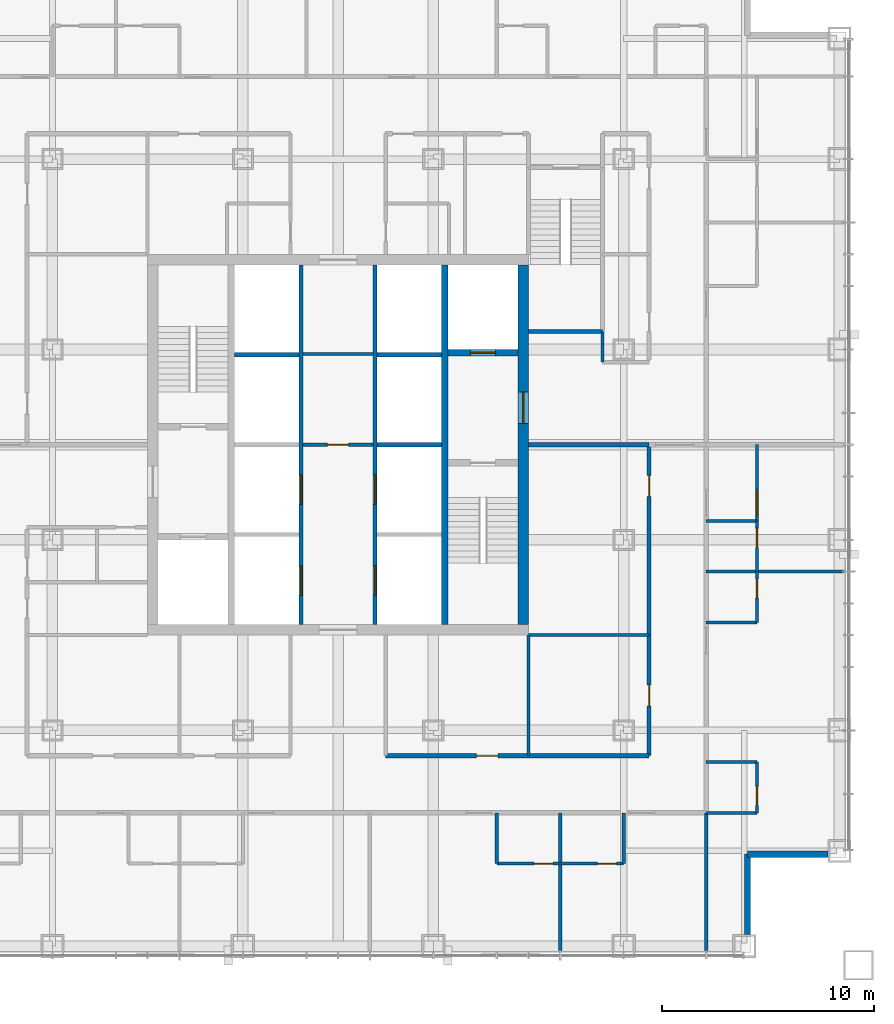
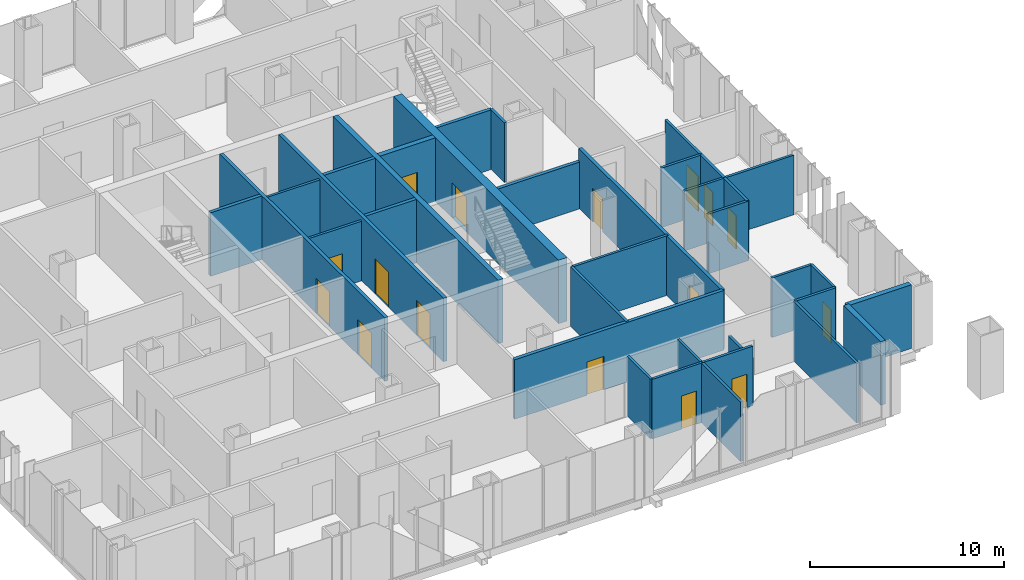
# One storey, part 10 of 18: 34 walls, 16 doors, 16 openings.
"""IFC4 building model written with IfcOpenShell, lengths in metres."""

from ifc_helpers import new_model, si_unit, direction, frame, frame_2d, origin, place, context, subcontext, project, spatial, rectangle, extrude, material, layer, layer_set, type_object, element, fill, save


model = new_model("IFC4")

# Units and contexts
model_context = context("Model", 3, precision=1e-05, world=origin(), true_north=direction((0.0, 1.0)))
body_context = subcontext(model_context, "Body", "Model", "MODEL_VIEW")
ifc_project = project(units=[si_unit("LENGTHUNIT", "METRE"), si_unit("AREAUNIT", "SQUARE_METRE"), si_unit("VOLUMEUNIT", "CUBIC_METRE"), si_unit("PLANEANGLEUNIT", "RADIAN"), si_unit("MASSUNIT", "GRAM", prefix="KILO")], contexts=[model_context])

# Site, building, storey
site_placement = place(None, origin())
site = spatial("IfcSite", under=ifc_project, at=site_placement, CompositionType="ELEMENT")
building_placement = place(site_placement, origin())
building = spatial("IfcBuilding", under=site, at=building_placement, Name="Malebo Sky Hospital", CompositionType="ELEMENT")
storey_placement = place(building_placement, frame((0.0, 0.0, 124.0)))
storey = spatial("IfcBuildingStorey", under=building, at=storey_placement, Name="L29", CompositionType="ELEMENT", Elevation=124.0)

# Wall, openings, doors
ifc_material_1 = material(Name="Concrete C80/95", Category="concrete")
ifc_layer_1 = layer(ifc_material_1, 0.199951171875)
ifc_layer_set_1 = layer_set([ifc_layer_1], Name="CORE INNER WALL 200")
wall_type_1 = type_object("IfcWallType", Name="CORE INNER WALL 200", PredefinedType="SHEAR", material=ifc_layer_set_1)
wall_1_placement = place(storey_placement, frame((58.25, 53.5, 0.0), z_axis=(0.0, 0.0, 1.0), x_axis=(0.0, 1.0, 0.0)))
wall_1 = element("IfcWall", 1, at=wall_1_placement, inside=storey, type_object=wall_type_1, Name="Core wall LW L29", PredefinedType="SHEAR", context=body_context, shape_type="SweptSolid", body=[
    extrude(rectangle(XDim=17.0, YDim=0.199951171875, at=frame_2d((8.5, 0.0))), origin(), (0.0, 0.0, 1.0), 4.0),
])
opening_1_placement = place(wall_1_placement, frame((1.375, 0.0, 0.0)))
opening_1 = element("IfcOpeningElement", 2, at=opening_1_placement, cuts=wall_1, Name="Opening LD1", PredefinedType="OPENING", context=body_context, shape_type="SweptSolid", body=[
    extrude(rectangle(XDim=1.39990234375, YDim=2.199951171875, at=frame_2d((0.699951171875, 1.10009765625))), frame((0.0, 0.10986328125, 0.0), z_axis=(0.0, -1.0, 0.0), x_axis=(1.0, 0.0, 0.0)), (0.0, 0.0, 1.0), 0.219970703125),
])
opening_2_placement = place(wall_1_placement, frame((5.675048828125, 0.0, 0.0)))
opening_2 = element("IfcOpeningElement", 3, at=opening_2_placement, cuts=wall_1, Name="Opening LD1", PredefinedType="OPENING", context=body_context, shape_type="SweptSolid", body=[
    extrude(rectangle(XDim=1.39990234375, YDim=2.199951171875, at=frame_2d((0.699951171875, 1.10009765625))), frame((0.0, 0.10986328125, 0.0), z_axis=(0.0, -1.0, 0.0), x_axis=(1.0, 0.0, 0.0)), (0.0, 0.0, 1.0), 0.219970703125),
])
ifc_material_2 = material(Name="Stainless steel sliding landing door", Category="steel")
door_type_1 = type_object("IfcDoorType", Name="LIFT LANDING DOOR 1400", OperationType="SLIDING_TO_LEFT", PredefinedType="DOOR", material=ifc_material_2)
door_1_placement = place(opening_1_placement, origin())
door_1 = element("IfcDoor", 4, at=door_1_placement, inside=storey, type_object=door_type_1, Name="Lift W1 landing door", OperationType="SLIDING_TO_LEFT", OverallHeight=2.199951171875, OverallWidth=1.39990234375, PredefinedType="DOOR", context=body_context, shape_type="SweptSolid", body=[
    extrude(rectangle(XDim=1.39990234375, YDim=2.199951171875, at=frame_2d((0.699951171875, 1.10009765625))), frame((0.0, 0.02490234375, 0.0), z_axis=(0.0, -1.0, 0.0), x_axis=(1.0, 0.0, 0.0)), (0.0, 0.0, 1.0), 0.050048828125),
])
fill(opening_1, door_1)
door_2_placement = place(opening_2_placement, origin())
door_2 = element("IfcDoor", 5, at=door_2_placement, inside=storey, type_object=door_type_1, Name="Lift W2 landing door", OperationType="SLIDING_TO_LEFT", OverallHeight=2.199951171875, OverallWidth=1.39990234375, PredefinedType="DOOR", context=body_context, shape_type="SweptSolid", body=[
    extrude(rectangle(XDim=1.39990234375, YDim=2.199951171875, at=frame_2d((0.699951171875, 1.10009765625))), frame((0.0, 0.02490234375, 0.0), z_axis=(0.0, -1.0, 0.0), x_axis=(1.0, 0.0, 0.0)), (0.0, 0.0, 1.0), 0.050048828125),
])
fill(opening_2, door_2)

wall_2_placement = place(storey_placement, frame((61.75, 53.5, 0.0), z_axis=(0.0, 0.0, 1.0), x_axis=(0.0, 1.0, 0.0)))
wall_2 = element("IfcWall", 6, at=wall_2_placement, inside=storey, type_object=wall_type_1, Name="Core wall LE L29", PredefinedType="SHEAR", context=body_context, shape_type="SweptSolid", body=[
    extrude(rectangle(XDim=17.0, YDim=0.199951171875, at=frame_2d((8.5, 0.0))), origin(), (0.0, 0.0, 1.0), 4.0),
])
opening_3_placement = place(wall_2_placement, frame((1.375, 0.0, 0.0)))
opening_3 = element("IfcOpeningElement", 7, at=opening_3_placement, cuts=wall_2, Name="Opening LD1", PredefinedType="OPENING", context=body_context, shape_type="SweptSolid", body=[
    extrude(rectangle(XDim=1.39990234375, YDim=2.199951171875, at=frame_2d((0.699951171875, 1.10009765625))), frame((0.0, 0.10986328125, 0.0), z_axis=(0.0, -1.0, 0.0), x_axis=(1.0, 0.0, 0.0)), (0.0, 0.0, 1.0), 0.219970703125),
])
opening_4_placement = place(wall_2_placement, frame((5.675048828125, 0.0, 0.0)))
opening_4 = element("IfcOpeningElement", 8, at=opening_4_placement, cuts=wall_2, Name="Opening LD1", PredefinedType="OPENING", context=body_context, shape_type="SweptSolid", body=[
    extrude(rectangle(XDim=1.39990234375, YDim=2.199951171875, at=frame_2d((0.699951171875, 1.10009765625))), frame((0.0, 0.10986328125, 0.0), z_axis=(0.0, -1.0, 0.0), x_axis=(1.0, 0.0, 0.0)), (0.0, 0.0, 1.0), 0.219970703125),
])
door_3_placement = place(opening_3_placement, origin())
door_3 = element("IfcDoor", 9, at=door_3_placement, inside=storey, type_object=door_type_1, Name="Lift E1 landing door", OperationType="SLIDING_TO_LEFT", OverallHeight=2.199951171875, OverallWidth=1.39990234375, PredefinedType="DOOR", context=body_context, shape_type="SweptSolid", body=[
    extrude(rectangle(XDim=1.39990234375, YDim=2.199951171875, at=frame_2d((0.699951171875, 1.10009765625))), frame((0.0, 0.02490234375, 0.0), z_axis=(0.0, -1.0, 0.0), x_axis=(1.0, 0.0, 0.0)), (0.0, 0.0, 1.0), 0.050048828125),
])
fill(opening_3, door_3)
door_4_placement = place(opening_4_placement, origin())
door_4 = element("IfcDoor", 10, at=door_4_placement, inside=storey, type_object=door_type_1, Name="Lift E2 landing door", OperationType="SLIDING_TO_LEFT", OverallHeight=2.199951171875, OverallWidth=1.39990234375, PredefinedType="DOOR", context=body_context, shape_type="SweptSolid", body=[
    extrude(rectangle(XDim=1.39990234375, YDim=2.199951171875, at=frame_2d((0.699951171875, 1.10009765625))), frame((0.0, 0.02490234375, 0.0), z_axis=(0.0, -1.0, 0.0), x_axis=(1.0, 0.0, 0.0)), (0.0, 0.0, 1.0), 0.050048828125),
])
fill(opening_4, door_4)

# Walls
for number, where, z_axis, x_axis, name in (
    (11, (61.85009765625, 62.0, 0.0), (0.0, 0.0, 1.0), (1.0, 0.0, 0.0), "Core wall SE1 L29"),
    (12, (55.10009765625, 66.25, 0.0), (0.0, 0.0, 1.0), (1.0, 0.0, 0.0), "Core wall SW2 L29"),
    (13, (61.85009765625, 66.25, 0.0), (0.0, 0.0, 1.0), (1.0, 0.0, 0.0), "Core wall SE2 L29"),
):
    element("IfcWall", number, at=place(storey_placement, frame(where, z_axis=z_axis, x_axis=x_axis)), inside=storey, type_object=wall_type_1, Name=name, PredefinedType="SHEAR", context=body_context, shape_type="SweptSolid", body=[
        extrude(rectangle(XDim=3.0498046875, YDim=0.199951171875, at=frame_2d((1.52490234375, 0.0))), origin(), (0.0, 0.0, 1.0), 4.0),
    ])
ifc_layer_2 = layer(ifc_material_1, 0.300048828125)
ifc_layer_set_2 = layer_set([ifc_layer_2], Name="CORE INNER WALL 300")
wall_type_2 = type_object("IfcWallType", Name="CORE INNER WALL 300", PredefinedType="SHEAR", material=ifc_layer_set_2)
wall_3_placement = place(storey_placement, frame((65.050048828125, 53.5, 0.0), z_axis=(0.0, 0.0, 1.0), x_axis=(0.0, 1.0, 0.0)))
element("IfcWall", 14, at=wall_3_placement, inside=storey, type_object=wall_type_2, Name="Core wall XE L29", PredefinedType="SHEAR", context=body_context, shape_type="SweptSolid", body=[
    extrude(rectangle(XDim=17.0, YDim=0.300048828125, at=frame_2d((8.5, 0.0))), origin(), (0.0, 0.0, 1.0), 4.0),
])

# Wall, opening, door
wall_4_placement = place(storey_placement, frame((65.199951171875, 66.35009765625, 0.0), z_axis=(0.0, 0.0, 1.0), x_axis=(1.0, 0.0, 0.0)))
wall_4 = element("IfcWall", 15, at=wall_4_placement, inside=storey, type_object=wall_type_2, Name="Core wall E2 L29", PredefinedType="SHEAR", context=body_context, shape_type="SweptSolid", body=[
    extrude(rectangle(XDim=3.300048828125, YDim=0.300048828125, at=frame_2d((1.64990234375, 0.0))), origin(), (0.0, 0.0, 1.0), 4.0),
])
opening_5_placement = place(wall_4_placement, frame((1.050048828125, 0.0, 0.0)))
opening_5 = element("IfcOpeningElement", 16, at=opening_5_placement, cuts=wall_4, Name="Opening LD2", PredefinedType="OPENING", context=body_context, shape_type="SweptSolid", body=[
    extrude(rectangle(XDim=1.199951171875, YDim=2.199951171875, at=frame_2d((0.60009765625, 1.10009765625))), frame((0.0, 0.159912109375, 0.0), z_axis=(0.0, -1.0, 0.0), x_axis=(1.0, 0.0, 0.0)), (0.0, 0.0, 1.0), 0.320068359375),
])
door_type_2 = type_object("IfcDoorType", Name="FIRE-FIGHTING LIFT LANDING DOOR 1200", OperationType="SLIDING_TO_LEFT", PredefinedType="DOOR", material=ifc_material_2)
door_5_placement = place(opening_5_placement, origin())
door_5 = element("IfcDoor", 17, at=door_5_placement, inside=storey, type_object=door_type_2, Name="Lift FL2 landing door", OperationType="SLIDING_TO_LEFT", OverallHeight=2.199951171875, OverallWidth=1.199951171875, PredefinedType="DOOR", context=body_context, shape_type="SweptSolid", body=[
    extrude(rectangle(XDim=1.199951171875, YDim=2.199951171875, at=frame_2d((0.60009765625, 1.10009765625))), frame((0.0, 0.02490234375, 0.0), z_axis=(0.0, -1.0, 0.0), x_axis=(1.0, 0.0, 0.0)), (0.0, 0.0, 1.0), 0.050048828125),
])
fill(opening_5, door_5)

ifc_layer_3 = layer(ifc_material_1, 0.5)
ifc_layer_set_3 = layer_set([ifc_layer_3], Name="CORE WALL 500")
wall_type_3 = type_object("IfcWallType", Name="CORE WALL 500", PredefinedType="SHEAR", material=ifc_layer_set_3)
wall_5_placement = place(storey_placement, frame((68.75, 53.5, 0.0), z_axis=(0.0, 0.0, 1.0), x_axis=(0.0, 1.0, 0.0)))
wall_5 = element("IfcWall", 18, at=wall_5_placement, inside=storey, type_object=wall_type_3, Name="Core wall E L29", PredefinedType="SHEAR", context=body_context, shape_type="SweptSolid", body=[
    extrude(rectangle(XDim=17.0, YDim=0.5, at=frame_2d((8.5, 0.0))), origin(), (0.0, 0.0, 1.0), 4.0),
])
opening_6_placement = place(wall_5_placement, frame((9.5, 0.0, 0.0)))
opening_6 = element("IfcOpeningElement", 19, at=opening_6_placement, cuts=wall_5, Name="Opening D07", PredefinedType="OPENING", context=body_context, shape_type="SweptSolid", body=[
    extrude(rectangle(XDim=1.5, YDim=2.199951171875, at=frame_2d((0.75, 1.10009765625))), frame((0.0, 0.260009765625, 0.0), z_axis=(0.0, -1.0, 0.0), x_axis=(1.0, 0.0, 0.0)), (0.0, 0.0, 1.0), 0.52001953125),
])
ifc_material_3 = material(Name="Hardwood-faced door leaf in steel frame", Category="steel")
door_type_3 = type_object("IfcDoorType", Name="FIRE-FIGHTING LOBBY DOOR PAIR 1500", OperationType="DOUBLE_DOOR_SINGLE_SWING", PredefinedType="DOOR", material=ifc_material_3)
door_6_placement = place(opening_6_placement, origin())
door_6 = element("IfcDoor", 20, at=door_6_placement, inside=storey, type_object=door_type_3, Name="Fire-fighting lobby door east", OperationType="DOUBLE_DOOR_SINGLE_SWING", OverallHeight=2.199951171875, OverallWidth=1.5, PredefinedType="DOOR", context=body_context, shape_type="SweptSolid", body=[
    extrude(rectangle(XDim=1.5, YDim=2.199951171875, at=frame_2d((0.75, 1.10009765625))), frame((0.0, 0.02490234375, 0.0), z_axis=(0.0, -1.0, 0.0), x_axis=(1.0, 0.0, 0.0)), (0.0, 0.0, 1.0), 0.050048828125),
])
fill(opening_6, door_6)

ifc_material_4 = material(Name="Gypsum board on steel studs", Category="steel")
ifc_layer_4 = layer(ifc_material_4, 0.199951171875)
ifc_layer_set_4 = layer_set([ifc_layer_4], Name="CORRIDOR WALL 200")
wall_type_4 = type_object("IfcWallType", Name="CORRIDOR WALL 200", PredefinedType="PARTITIONING", material=ifc_layer_set_4)
wall_6_placement = place(storey_placement, frame((74.699951171875, 47.300048828125, 0.0), z_axis=(0.0, 0.0, 1.0), x_axis=(-1.0, 0.0, 0.0)))
wall_6 = element("IfcWall", 21, at=wall_6_placement, inside=storey, type_object=wall_type_4, Name="Corridor Wall 200 SCI1", PredefinedType="PARTITIONING", context=body_context, shape_type="SweptSolid", body=[
    extrude(rectangle(XDim=12.449951171875, YDim=0.199951171875, at=frame_2d((6.22509765625, 0.0))), origin(), (0.0, 0.0, 1.0), 3.75),
])
opening_7_placement = place(wall_6_placement, frame((7.14990234375, 0.0, 0.0)))
opening_7 = element("IfcOpeningElement", 22, at=opening_7_placement, cuts=wall_6, Name="Opening D03", PredefinedType="OPENING", context=body_context, shape_type="SweptSolid", body=[
    extrude(rectangle(XDim=1.0, YDim=2.10009765625, at=frame_2d((0.5, 1.050048828125))), frame((0.0, 0.10986328125, 0.0), z_axis=(0.0, -1.0, 0.0), x_axis=(1.0, 0.0, 0.0)), (0.0, 0.0, 1.0), 0.219970703125),
])
door_type_4 = type_object("IfcDoorType", Name="ROOM DOOR 1000", OperationType="SINGLE_SWING_LEFT", PredefinedType="DOOR", material=ifc_material_3)
door_7_placement = place(opening_7_placement, origin())
door_7 = element("IfcDoor", 23, at=door_7_placement, inside=storey, type_object=door_type_4, Name="Wound care room door", OperationType="SINGLE_SWING_LEFT", OverallHeight=2.10009765625, OverallWidth=1.0, PredefinedType="DOOR", context=body_context, shape_type="SweptSolid", body=[
    extrude(rectangle(XDim=1.0, YDim=2.10009765625, at=frame_2d((0.5, 1.050048828125))), frame((0.0, 0.02490234375, 0.0), z_axis=(0.0, -1.0, 0.0), x_axis=(1.0, 0.0, 0.0)), (0.0, 0.0, 1.0), 0.050048828125),
])
fill(opening_7, door_7)

# Wall, openings, doors
wall_7_placement = place(storey_placement, frame((74.699951171875, 62.0, 0.0), z_axis=(0.0, 0.0, 1.0), x_axis=(0.0, -1.0, 0.0)))
wall_7 = element("IfcWall", 24, at=wall_7_placement, inside=storey, type_object=wall_type_4, Name="Corridor Wall 200 ECI2", PredefinedType="PARTITIONING", context=body_context, shape_type="SweptSolid", body=[
    extrude(rectangle(XDim=14.699951171875, YDim=0.199951171875, at=frame_2d((7.35009765625, 0.0))), origin(), (0.0, 0.0, 1.0), 3.75),
])
opening_8_placement = place(wall_7_placement, frame((1.449951171875, 0.0, 0.0)))
opening_8 = element("IfcOpeningElement", 25, at=opening_8_placement, cuts=wall_7, Name="Opening D03", PredefinedType="OPENING", context=body_context, shape_type="SweptSolid", body=[
    extrude(rectangle(XDim=1.0, YDim=2.10009765625, at=frame_2d((0.5, 1.050048828125))), frame((0.0, 0.10986328125, 0.0), z_axis=(0.0, -1.0, 0.0), x_axis=(1.0, 0.0, 0.0)), (0.0, 0.0, 1.0), 0.219970703125),
])
opening_9_placement = place(wall_7_placement, frame((11.35009765625, 0.0, 0.0)))
opening_9 = element("IfcOpeningElement", 26, at=opening_9_placement, cuts=wall_7, Name="Opening D03", PredefinedType="OPENING", context=body_context, shape_type="SweptSolid", body=[
    extrude(rectangle(XDim=1.0, YDim=2.10009765625, at=frame_2d((0.5, 1.050048828125))), frame((0.0, 0.10986328125, 0.0), z_axis=(0.0, -1.0, 0.0), x_axis=(1.0, 0.0, 0.0)), (0.0, 0.0, 1.0), 0.219970703125),
])
door_8_placement = place(opening_8_placement, origin())
door_8 = element("IfcDoor", 27, at=door_8_placement, inside=storey, type_object=door_type_4, Name="Staff rest room door", OperationType="SINGLE_SWING_LEFT", OverallHeight=2.10009765625, OverallWidth=1.0, PredefinedType="DOOR", context=body_context, shape_type="SweptSolid", body=[
    extrude(rectangle(XDim=1.0, YDim=2.10009765625, at=frame_2d((0.5, 1.050048828125))), frame((0.0, 0.02490234375, 0.0), z_axis=(0.0, -1.0, 0.0), x_axis=(1.0, 0.0, 0.0)), (0.0, 0.0, 1.0), 0.050048828125),
])
fill(opening_8, door_8)
door_9_placement = place(opening_9_placement, origin())
door_9 = element("IfcDoor", 28, at=door_9_placement, inside=storey, type_object=door_type_4, Name="Interview room door", OperationType="SINGLE_SWING_RIGHT", OverallHeight=2.10009765625, OverallWidth=1.0, PredefinedType="DOOR", context=body_context, shape_type="SweptSolid", body=[
    extrude(rectangle(XDim=1.0, YDim=2.10009765625, at=frame_2d((0.5, 1.050048828125))), frame((0.0, 0.02490234375, 0.0), z_axis=(0.0, -1.0, 0.0), x_axis=(1.0, 0.0, 0.0)), (0.0, 0.0, 1.0), 0.050048828125),
])
fill(opening_9, door_9)

# Walls
ifc_material_5 = material(Name="Anodised aluminium rainscreen on steel framing", Category="steel")
ifc_layer_5 = layer(ifc_material_5, 0.300048828125)
ifc_layer_set_5 = layer_set([ifc_layer_5], Name="NOTCH RAINSCREEN WALL 300")
wall_type_5 = type_object("IfcWallType", Name="NOTCH RAINSCREEN WALL 300", PredefinedType="ELEMENTEDWALL", material=ifc_layer_set_5)
for number, where, z_axis, x_axis, name in (
    (29, (83.14990234375, 42.64990234375, 0.0), (0.0, 0.0, 1.0), (-1.0, 0.0, 0.0), "Notch rainscreen wall E1 L29"),
    (30, (79.35009765625, 42.64990234375, 0.0), (0.0, 0.0, 1.0), (0.0, -1.0, 0.0), "Notch rainscreen wall E2 L29"),
):
    element("IfcWall", number, at=place(storey_placement, frame(where, z_axis=z_axis, x_axis=x_axis)), inside=storey, type_object=wall_type_5, Name=name, PredefinedType="ELEMENTEDWALL", context=body_context, shape_type="SweptSolid", body=[
        extrude(rectangle(XDim=3.7998046875, YDim=0.300048828125, at=frame_2d((1.89990234375, 0.0))), origin(), (0.0, 0.0, 1.0), 4.0),
    ])
ifc_layer_6 = layer(ifc_material_4, 0.14990234375)
ifc_layer_set_6 = layer_set([ifc_layer_6], Name="PARTITION 150")
wall_type_6 = type_object("IfcWallType", Name="PARTITION 150", PredefinedType="PARTITIONING", material=ifc_layer_set_6)
for number, where, z_axis, x_axis, name in (
    (31, (70.5, 44.60009765625, 0.0), (0.0, 0.0, 1.0), (0.0, -1.0, 0.0), "Partition 150 SP-10.5"),
    (32, (77.39990234375, 44.60009765625, 0.0), (0.0, 0.0, 1.0), (0.0, -1.0, 0.0), "Partition 150 SP0"),
):
    element("IfcWall", number, at=place(storey_placement, frame(where, z_axis=z_axis, x_axis=x_axis)), inside=storey, type_object=wall_type_6, Name=name, PredefinedType="PARTITIONING", context=body_context, shape_type="SweptSolid", body=[
        extrude(rectangle(XDim=6.510009765625, YDim=0.14990234375, at=frame_2d((3.2548828125, 0.0))), origin(), (0.0, 0.0, 1.0), 3.75),
    ])

# Wall, opening, door
wall_8_placement = place(storey_placement, frame((73.5, 42.199951171875, 0.0), z_axis=(0.0, 0.0, 1.0), x_axis=(-1.0, 0.0, 0.0)))
wall_8 = element("IfcWall", 33, at=wall_8_placement, inside=storey, type_object=wall_type_6, Name="Partition 150 SE0F", PredefinedType="PARTITIONING", context=body_context, shape_type="SweptSolid", body=[
    extrude(rectangle(XDim=3.0, YDim=0.14990234375, at=frame_2d((1.5, 0.0))), origin(), (0.0, 0.0, 1.0), 3.75),
])
opening_10_placement = place(wall_8_placement, frame((0.35009765625, 0.0, 0.0)))
opening_10 = element("IfcOpeningElement", 34, at=opening_10_placement, cuts=wall_8, Name="Opening D02", PredefinedType="OPENING", context=body_context, shape_type="SweptSolid", body=[
    extrude(rectangle(XDim=0.89990234375, YDim=2.10009765625, at=frame_2d((0.449951171875, 1.050048828125))), frame((0.0, 0.0849609375, 0.0), z_axis=(0.0, -1.0, 0.0), x_axis=(1.0, 0.0, 0.0)), (0.0, 0.0, 1.0), 0.169921875),
])
door_type_5 = type_object("IfcDoorType", Name="EN-SUITE DOOR 900", OperationType="SINGLE_SWING_LEFT", PredefinedType="DOOR", material=ifc_material_3)
door_10_placement = place(opening_10_placement, origin())
door_10 = element("IfcDoor", 35, at=door_10_placement, inside=storey, type_object=door_type_5, Name="En-suite door", OperationType="SINGLE_SWING_LEFT", OverallHeight=2.10009765625, OverallWidth=0.89990234375, PredefinedType="DOOR", context=body_context, shape_type="SweptSolid", body=[
    extrude(rectangle(XDim=0.89990234375, YDim=2.10009765625, at=frame_2d((0.449951171875, 1.050048828125))), frame((0.0, 0.02490234375, 0.0), z_axis=(0.0, -1.0, 0.0), x_axis=(1.0, 0.0, 0.0)), (0.0, 0.0, 1.0), 0.050048828125),
])
fill(opening_10, door_10)

# Wall
wall_9_placement = place(storey_placement, frame((73.5, 44.60009765625, 0.0), z_axis=(0.0, 0.0, 1.0), x_axis=(0.0, -1.0, 0.0)))
element("IfcWall", 36, at=wall_9_placement, inside=storey, type_object=wall_type_6, Name="Partition 150 SE0S", PredefinedType="PARTITIONING", context=body_context, shape_type="SweptSolid", body=[
    extrude(rectangle(XDim=2.400146484375, YDim=0.14990234375, at=frame_2d((1.2001953125, 0.0))), origin(), (0.0, 0.0, 1.0), 2.949951171875),
])

# Wall, opening, door
wall_10_placement = place(storey_placement, frame((70.5, 42.199951171875, 0.0), z_axis=(0.0, 0.0, 1.0), x_axis=(-1.0, 0.0, 0.0)))
wall_10 = element("IfcWall", 37, at=wall_10_placement, inside=storey, type_object=wall_type_6, Name="Partition 150 SE1F", PredefinedType="PARTITIONING", context=body_context, shape_type="SweptSolid", body=[
    extrude(rectangle(XDim=3.0, YDim=0.14990234375, at=frame_2d((1.5, 0.0))), origin(), (0.0, 0.0, 1.0), 3.75),
])
opening_11_placement = place(wall_10_placement, frame((0.35009765625, 0.0, 0.0)))
opening_11 = element("IfcOpeningElement", 38, at=opening_11_placement, cuts=wall_10, Name="Opening D02", PredefinedType="OPENING", context=body_context, shape_type="SweptSolid", body=[
    extrude(rectangle(XDim=0.89990234375, YDim=2.10009765625, at=frame_2d((0.449951171875, 1.050048828125))), frame((0.0, 0.0849609375, 0.0), z_axis=(0.0, -1.0, 0.0), x_axis=(1.0, 0.0, 0.0)), (0.0, 0.0, 1.0), 0.169921875),
])
door_11_placement = place(opening_11_placement, origin())
door_11 = element("IfcDoor", 39, at=door_11_placement, inside=storey, type_object=door_type_5, Name="En-suite door", OperationType="SINGLE_SWING_LEFT", OverallHeight=2.10009765625, OverallWidth=0.89990234375, PredefinedType="DOOR", context=body_context, shape_type="SweptSolid", body=[
    extrude(rectangle(XDim=0.89990234375, YDim=2.10009765625, at=frame_2d((0.449951171875, 1.050048828125))), frame((0.0, 0.02490234375, 0.0), z_axis=(0.0, -1.0, 0.0), x_axis=(1.0, 0.0, 0.0)), (0.0, 0.0, 1.0), 0.050048828125),
])
fill(opening_11, door_11)

# Walls
wall_11_placement = place(storey_placement, frame((67.5, 44.60009765625, 0.0), z_axis=(0.0, 0.0, 1.0), x_axis=(0.0, -1.0, 0.0)))
element("IfcWall", 40, at=wall_11_placement, inside=storey, type_object=wall_type_6, Name="Partition 150 SE1S", PredefinedType="PARTITIONING", context=body_context, shape_type="SweptSolid", body=[
    extrude(rectangle(XDim=2.400146484375, YDim=0.14990234375, at=frame_2d((1.2001953125, 0.0))), origin(), (0.0, 0.0, 1.0), 3.75),
])
wall_12_placement = place(storey_placement, frame((69.0, 53.0, 0.0), z_axis=(0.0, 0.0, 1.0), x_axis=(0.0, -1.0, 0.0)))
element("IfcWall", 41, at=wall_12_placement, inside=storey, type_object=wall_type_6, Name="Partition 150 SSP0", PredefinedType="PARTITIONING", context=body_context, shape_type="SweptSolid", body=[
    extrude(rectangle(XDim=5.699951171875, YDim=0.14990234375, at=frame_2d((2.85009765625, 0.0))), origin(), (0.0, 0.0, 1.0), 3.75),
])
wall_13_placement = place(storey_placement, frame((77.39990234375, 56.0, 0.0), z_axis=(0.0, 0.0, 1.0), x_axis=(1.0, 0.0, 0.0)))
element("IfcWall", 42, at=wall_13_placement, inside=storey, type_object=wall_type_6, Name="Partition 150 EP+6.0", PredefinedType="PARTITIONING", context=body_context, shape_type="SweptSolid", body=[
    extrude(rectangle(XDim=6.510009765625, YDim=0.14990234375, at=frame_2d((3.2548828125, 0.0))), origin(), (0.0, 0.0, 1.0), 3.75),
])

# Wall, opening, door
wall_14_placement = place(storey_placement, frame((79.800048828125, 58.39990234375, 0.0), z_axis=(0.0, 0.0, 1.0), x_axis=(0.0, -1.0, 0.0)))
wall_14 = element("IfcWall", 43, at=wall_14_placement, inside=storey, type_object=wall_type_6, Name="Partition 150 EE2F", PredefinedType="PARTITIONING", context=body_context, shape_type="SweptSolid", body=[
    extrude(rectangle(XDim=2.39990234375, YDim=0.14990234375, at=frame_2d((1.199951171875, 0.0))), origin(), (0.0, 0.0, 1.0), 3.75),
])
opening_12_placement = place(wall_14_placement, frame((0.35009765625, 0.0, 0.0)))
opening_12 = element("IfcOpeningElement", 44, at=opening_12_placement, cuts=wall_14, Name="Opening D02", PredefinedType="OPENING", context=body_context, shape_type="SweptSolid", body=[
    extrude(rectangle(XDim=0.89990234375, YDim=2.10009765625, at=frame_2d((0.449951171875, 1.050048828125))), frame((0.0, 0.0849609375, 0.0), z_axis=(0.0, -1.0, 0.0), x_axis=(1.0, 0.0, 0.0)), (0.0, 0.0, 1.0), 0.169921875),
])
door_12_placement = place(opening_12_placement, origin())
door_12 = element("IfcDoor", 45, at=door_12_placement, inside=storey, type_object=door_type_5, Name="En-suite door", OperationType="SINGLE_SWING_LEFT", OverallHeight=2.10009765625, OverallWidth=0.89990234375, PredefinedType="DOOR", context=body_context, shape_type="SweptSolid", body=[
    extrude(rectangle(XDim=0.89990234375, YDim=2.10009765625, at=frame_2d((0.449951171875, 1.050048828125))), frame((0.0, 0.02490234375, 0.0), z_axis=(0.0, -1.0, 0.0), x_axis=(1.0, 0.0, 0.0)), (0.0, 0.0, 1.0), 0.050048828125),
])
fill(opening_12, door_12)

# Wall
wall_15_placement = place(storey_placement, frame((77.39990234375, 58.39990234375, 0.0), z_axis=(0.0, 0.0, 1.0), x_axis=(1.0, 0.0, 0.0)))
element("IfcWall", 46, at=wall_15_placement, inside=storey, type_object=wall_type_6, Name="Partition 150 EE2S", PredefinedType="PARTITIONING", context=body_context, shape_type="SweptSolid", body=[
    extrude(rectangle(XDim=2.400146484375, YDim=0.14990234375, at=frame_2d((1.2001953125, 0.0))), origin(), (0.0, 0.0, 1.0), 3.75),
])

# Wall, opening, door
wall_16_placement = place(storey_placement, frame((79.800048828125, 56.0, 0.0), z_axis=(0.0, 0.0, 1.0), x_axis=(0.0, -1.0, 0.0)))
wall_16 = element("IfcWall", 47, at=wall_16_placement, inside=storey, type_object=wall_type_6, Name="Partition 150 EE3F", PredefinedType="PARTITIONING", context=body_context, shape_type="SweptSolid", body=[
    extrude(rectangle(XDim=2.39990234375, YDim=0.14990234375, at=frame_2d((1.199951171875, 0.0))), origin(), (0.0, 0.0, 1.0), 3.75),
])
opening_13_placement = place(wall_16_placement, frame((0.35009765625, 0.0, 0.0)))
opening_13 = element("IfcOpeningElement", 48, at=opening_13_placement, cuts=wall_16, Name="Opening D02", PredefinedType="OPENING", context=body_context, shape_type="SweptSolid", body=[
    extrude(rectangle(XDim=0.89990234375, YDim=2.10009765625, at=frame_2d((0.449951171875, 1.050048828125))), frame((0.0, 0.0849609375, 0.0), z_axis=(0.0, -1.0, 0.0), x_axis=(1.0, 0.0, 0.0)), (0.0, 0.0, 1.0), 0.169921875),
])
door_13_placement = place(opening_13_placement, origin())
door_13 = element("IfcDoor", 49, at=door_13_placement, inside=storey, type_object=door_type_5, Name="En-suite door", OperationType="SINGLE_SWING_LEFT", OverallHeight=2.10009765625, OverallWidth=0.89990234375, PredefinedType="DOOR", context=body_context, shape_type="SweptSolid", body=[
    extrude(rectangle(XDim=0.89990234375, YDim=2.10009765625, at=frame_2d((0.449951171875, 1.050048828125))), frame((0.0, 0.02490234375, 0.0), z_axis=(0.0, -1.0, 0.0), x_axis=(1.0, 0.0, 0.0)), (0.0, 0.0, 1.0), 0.050048828125),
])
fill(opening_13, door_13)

# Wall
wall_17_placement = place(storey_placement, frame((77.39990234375, 53.60009765625, 0.0), z_axis=(0.0, 0.0, 1.0), x_axis=(1.0, 0.0, 0.0)))
element("IfcWall", 50, at=wall_17_placement, inside=storey, type_object=wall_type_6, Name="Partition 150 EE3S", PredefinedType="PARTITIONING", context=body_context, shape_type="SweptSolid", body=[
    extrude(rectangle(XDim=2.400146484375, YDim=0.14990234375, at=frame_2d((1.2001953125, 0.0))), origin(), (0.0, 0.0, 1.0), 3.75),
])

# Wall, opening, door
wall_18_placement = place(storey_placement, frame((79.800048828125, 47.0, 0.0), z_axis=(0.0, 0.0, 1.0), x_axis=(0.0, -1.0, 0.0)))
wall_18 = element("IfcWall", 51, at=wall_18_placement, inside=storey, type_object=wall_type_6, Name="Partition 150 EG3F", PredefinedType="PARTITIONING", context=body_context, shape_type="SweptSolid", body=[
    extrude(rectangle(XDim=2.39990234375, YDim=0.14990234375, at=frame_2d((1.199951171875, 0.0))), origin(), (0.0, 0.0, 1.0), 3.75),
])
opening_14_placement = place(wall_18_placement, frame((1.14990234375, 0.0, 0.0)))
opening_14 = element("IfcOpeningElement", 52, at=opening_14_placement, cuts=wall_18, Name="Opening D02", PredefinedType="OPENING", context=body_context, shape_type="SweptSolid", body=[
    extrude(rectangle(XDim=0.89990234375, YDim=2.10009765625, at=frame_2d((0.449951171875, 1.050048828125))), frame((0.0, 0.0849609375, 0.0), z_axis=(0.0, -1.0, 0.0), x_axis=(1.0, 0.0, 0.0)), (0.0, 0.0, 1.0), 0.169921875),
])
door_14_placement = place(opening_14_placement, origin())
door_14 = element("IfcDoor", 53, at=door_14_placement, inside=storey, type_object=door_type_5, Name="En-suite door", OperationType="SINGLE_SWING_RIGHT", OverallHeight=2.10009765625, OverallWidth=0.89990234375, PredefinedType="DOOR", context=body_context, shape_type="SweptSolid", body=[
    extrude(rectangle(XDim=0.89990234375, YDim=2.10009765625, at=frame_2d((0.449951171875, 1.050048828125))), frame((0.0, 0.02490234375, 0.0), z_axis=(0.0, -1.0, 0.0), x_axis=(1.0, 0.0, 0.0)), (0.0, 0.0, 1.0), 0.050048828125),
])
fill(opening_14, door_14)

# Walls
for number, where, z_axis, x_axis, name in (
    (54, (77.39990234375, 47.0, 0.0), (0.0, 0.0, 1.0), (1.0, 0.0, 0.0), "Partition 150 EG3S"),
    (55, (77.39990234375, 44.60009765625, 0.0), (0.0, 0.0, 1.0), (1.0, 0.0, 0.0), "Partition 150 EEZ"),
):
    element("IfcWall", number, at=place(storey_placement, frame(where, z_axis=z_axis, x_axis=x_axis)), inside=storey, type_object=wall_type_6, Name=name, PredefinedType="PARTITIONING", context=body_context, shape_type="SweptSolid", body=[
        extrude(rectangle(XDim=2.400146484375, YDim=0.14990234375, at=frame_2d((1.2001953125, 0.0))), origin(), (0.0, 0.0, 1.0), 3.75),
    ])
wall_19_placement = place(storey_placement, frame((69.0, 53.0, 0.0), z_axis=(0.0, 0.0, 1.0), x_axis=(1.0, 0.0, 0.0)))
element("IfcWall", 56, at=wall_19_placement, inside=storey, type_object=wall_type_6, Name="Partition 150 ESP+9.0", PredefinedType="PARTITIONING", context=body_context, shape_type="SweptSolid", body=[
    extrude(rectangle(XDim=5.699951171875, YDim=0.14990234375, at=frame_2d((2.85009765625, 0.0))), origin(), (0.0, 0.0, 1.0), 3.75),
])

# Wall, opening, door
wall_20_placement = place(storey_placement, frame((58.35009765625, 62.0, 0.0), z_axis=(0.0, 0.0, 1.0), x_axis=(1.0, 0.0, 0.0)))
wall_20 = element("IfcWall", 57, at=wall_20_placement, inside=storey, type_object=wall_type_6, Name="Partition 150 LBN", PredefinedType="PARTITIONING", context=body_context, shape_type="SweptSolid", body=[
    extrude(rectangle(XDim=3.2998046875, YDim=0.14990234375, at=frame_2d((1.64990234375, 0.0))), origin(), (0.0, 0.0, 1.0), 3.75),
])
opening_15_placement = place(wall_20_placement, frame((1.14990234375, 0.0, 0.0)))
opening_15 = element("IfcOpeningElement", 58, at=opening_15_placement, cuts=wall_20, Name="Opening D03", PredefinedType="OPENING", context=body_context, shape_type="SweptSolid", body=[
    extrude(rectangle(XDim=1.0, YDim=2.10009765625, at=frame_2d((0.5, 1.050048828125))), frame((0.0, 0.0849609375, 0.0), z_axis=(0.0, -1.0, 0.0), x_axis=(1.0, 0.0, 0.0)), (0.0, 0.0, 1.0), 0.169921875),
])
door_15_placement = place(opening_15_placement, origin())
door_15 = element("IfcDoor", 59, at=door_15_placement, inside=storey, type_object=door_type_4, Name="Pantry store door", OperationType="SINGLE_SWING_LEFT", OverallHeight=2.10009765625, OverallWidth=1.0, PredefinedType="DOOR", context=body_context, shape_type="SweptSolid", body=[
    extrude(rectangle(XDim=1.0, YDim=2.10009765625, at=frame_2d((0.5, 1.050048828125))), frame((0.0, 0.02490234375, 0.0), z_axis=(0.0, -1.0, 0.0), x_axis=(1.0, 0.0, 0.0)), (0.0, 0.0, 1.0), 0.050048828125),
])
fill(opening_15, door_15)

# Walls
wall_21_placement = place(storey_placement, frame((58.35009765625, 66.28759765625, 0.0), z_axis=(0.0, 0.0, 1.0), x_axis=(1.0, 0.0, 0.0)))
element("IfcWall", 60, at=wall_21_placement, inside=storey, type_object=wall_type_6, Name="Partition 150 LBN1", PredefinedType="PARTITIONING", context=body_context, shape_type="SweptSolid", body=[
    extrude(rectangle(XDim=3.2998046875, YDim=0.14990234375, at=frame_2d((1.64990234375, 0.0))), origin(), (0.0, 0.0, 1.0), 3.75),
])
wall_22_placement = place(storey_placement, frame((72.5, 65.89990234375, 0.0), z_axis=(0.0, 0.0, 1.0), x_axis=(0.0, 1.0, 0.0)))
element("IfcWall", 61, at=wall_22_placement, inside=storey, type_object=wall_type_6, Name="Partition 150 ST3C", PredefinedType="PARTITIONING", context=body_context, shape_type="SweptSolid", body=[
    extrude(rectangle(XDim=1.4501953125, YDim=0.14990234375, at=frame_2d((0.72509765625, 0.0))), origin(), (0.0, 0.0, 1.0), 3.75),
])

# Wall, opening, door
ifc_material_6 = material(Name="Sealed gypsum board on steel studs, taped to the slab", Category="steel")
ifc_layer_7 = layer(ifc_material_6, 0.14990234375)
ifc_layer_set_7 = layer_set([ifc_layer_7], Name="SEALED ISOLATION PARTITION 150")
wall_type_7 = type_object("IfcWallType", Name="SEALED ISOLATION PARTITION 150", PredefinedType="PARTITIONING", material=ifc_layer_set_7)
wall_23_placement = place(storey_placement, frame((79.800048828125, 62.0, 0.0), z_axis=(0.0, 0.0, 1.0), x_axis=(0.0, -1.0, 0.0)))
wall_23 = element("IfcWall", 62, at=wall_23_placement, inside=storey, type_object=wall_type_7, Name="Sealed Isolation Partition 150 EA2F", PredefinedType="PARTITIONING", context=body_context, shape_type="SweptSolid", body=[
    extrude(rectangle(XDim=3.60009765625, YDim=0.14990234375, at=frame_2d((1.800048828125, 0.0))), origin(), (0.0, 0.0, 1.0), 3.75),
])
opening_16_placement = place(wall_23_placement, frame((2.14990234375, 0.0, 0.0)))
opening_16 = element("IfcOpeningElement", 63, at=opening_16_placement, cuts=wall_23, Name="Opening D19", PredefinedType="OPENING", context=body_context, shape_type="SweptSolid", body=[
    extrude(rectangle(XDim=1.199951171875, YDim=2.199951171875, at=frame_2d((0.60009765625, 1.10009765625))), frame((0.0, 0.0849609375, 0.0), z_axis=(0.0, -1.0, 0.0), x_axis=(1.0, 0.0, 0.0)), (0.0, 0.0, 1.0), 0.169921875),
])
ifc_material_7 = material(Name="Hardwood-faced door leaf with perimeter seals in steel frame", Category="steel")
door_type_6 = type_object("IfcDoorType", Name="SEALED ISOLATION ROOM DOOR 1200", OperationType="SINGLE_SWING_LEFT", PredefinedType="DOOR", material=ifc_material_7)
door_16_placement = place(opening_16_placement, origin())
door_16 = element("IfcDoor", 64, at=door_16_placement, inside=storey, type_object=door_type_6, Name="Isolation room door", OperationType="SINGLE_SWING_RIGHT", OverallHeight=2.199951171875, OverallWidth=1.199951171875, PredefinedType="DOOR", context=body_context, shape_type="SweptSolid", body=[
    extrude(rectangle(XDim=1.199951171875, YDim=2.199951171875, at=frame_2d((0.60009765625, 1.10009765625))), frame((0.0, 0.02490234375, 0.0), z_axis=(0.0, -1.0, 0.0), x_axis=(1.0, 0.0, 0.0)), (0.0, 0.0, 1.0), 0.050048828125),
])
fill(opening_16, door_16)

# Walls
ifc_material_8 = material(Name="Concrete blockwork", Category="masonry")
ifc_layer_8 = layer(ifc_material_8, 0.199951171875)
ifc_layer_set_8 = layer_set([ifc_layer_8], Name="SMOKE BARRIER WALL 200")
wall_type_8 = type_object("IfcWallType", Name="SMOKE BARRIER WALL 200", PredefinedType="SOLIDWALL", material=ifc_layer_set_8)
wall_24_placement = place(storey_placement, frame((69.0, 62.0, 0.0), z_axis=(0.0, 0.0, 1.0), x_axis=(1.0, 0.0, 0.0)))
element("IfcWall", 65, at=wall_24_placement, inside=storey, type_object=wall_type_8, Name="Smoke Barrier Wall 200 ESPB", PredefinedType="SOLIDWALL", context=body_context, shape_type="SweptSolid", body=[
    extrude(rectangle(XDim=5.699951171875, YDim=0.199951171875, at=frame_2d((2.85009765625, 0.0))), origin(), (0.0, 0.0, 1.0), 2.949951171875),
])
ifc_material_9 = material(Name="Concrete C40/50", Category="concrete")
ifc_layer_9 = layer(ifc_material_9, 0.199951171875)
ifc_layer_set_9 = layer_set([ifc_layer_9], Name="STAIR ENCLOSURE WALL 200")
wall_type_9 = type_object("IfcWallType", Name="STAIR ENCLOSURE WALL 200", PredefinedType="SOLIDWALL", material=ifc_layer_set_9)
wall_25_placement = place(storey_placement, frame((69.0, 67.35009765625, 0.0), z_axis=(0.0, 0.0, 1.0), x_axis=(1.0, 0.0, 0.0)))
element("IfcWall", 66, at=wall_25_placement, inside=storey, type_object=wall_type_9, Name="Stair Enclosure Wall 200 ST3S", PredefinedType="SOLIDWALL", context=body_context, shape_type="SweptSolid", body=[
    extrude(rectangle(XDim=3.5, YDim=0.199951171875, at=frame_2d((1.75, 0.0))), origin(), (0.0, 0.0, 1.0), 3.75),
])

save(model, "model.ifc")
